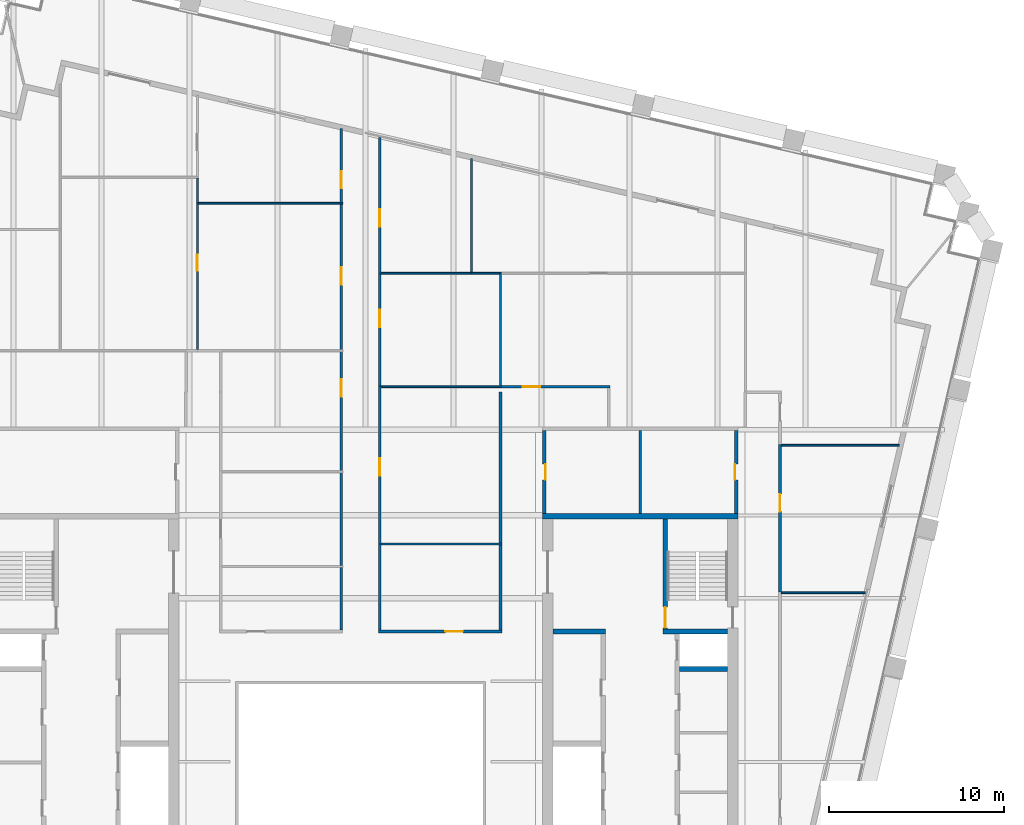
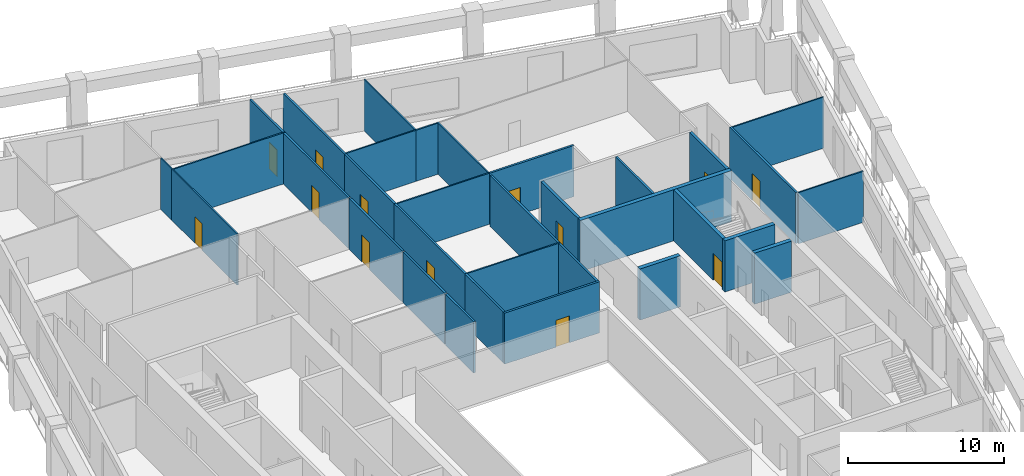
# One storey, part 8 of 10: 33 walls, 13 doors, 13 openings.
"""IFC4 building model written with IfcOpenShell, lengths in metres."""

from ifc_helpers import new_model, si_unit, direction, frame, frame_2d, origin, place, context, subcontext, project, spatial, rectangle, extrude, material, layer, layer_set, type_object, element, fill, save


model = new_model("IFC4")

# Units and contexts
model_context = context("Model", 3, precision=1e-05, world=origin(), true_north=direction((0.0, 1.0)))
body_context = subcontext(model_context, "Body", "Model", "MODEL_VIEW")
ifc_project = project(units=[si_unit("LENGTHUNIT", "METRE"), si_unit("AREAUNIT", "SQUARE_METRE"), si_unit("VOLUMEUNIT", "CUBIC_METRE"), si_unit("PLANEANGLEUNIT", "RADIAN"), si_unit("MASSUNIT", "GRAM", prefix="KILO")], contexts=[model_context])

# Site, building, storey
site_placement = place(None, origin())
site = spatial("IfcSite", under=ifc_project, at=site_placement, CompositionType="ELEMENT")
building_placement = place(site_placement, origin())
building = spatial("IfcBuilding", under=site, at=building_placement, Name="Ogive Exchange Tower", CompositionType="ELEMENT")
storey_placement = place(building_placement, frame((0.0, 0.0, 264.0)))
storey = spatial("IfcBuildingStorey", under=building, at=storey_placement, Name="L57", CompositionType="ELEMENT", Elevation=264.0)

# Walls
ifc_material_1 = material(Name="Gypsum board partition")
ifc_layer_1 = layer(ifc_material_1, 0.14990234375)
ifc_layer_set_1 = layer_set([ifc_layer_1], Name="Core room partition 150 gypsum")
wall_type_1 = type_object("IfcWallType", Name="Core room partition 150 gypsum", PredefinedType="PARTITIONING", material=ifc_layer_set_1)
wall_1_placement = place(storey_placement, frame((16.0, 25.75, 0.0), z_axis=(0.0, 0.0, 1.0), x_axis=(0.0, 1.0, 0.0)))
element("IfcWall", 1, at=wall_1_placement, inside=storey, type_object=wall_type_1, Name="E annex N column wall", PredefinedType="PARTITIONING", context=body_context, shape_type="SweptSolid", body=[
    extrude(rectangle(XDim=4.75, YDim=0.14990234375, at=frame_2d((2.375, 0.0))), origin(), (0.0, 0.0, 1.0), 4.0),
])
ifc_layer_2 = layer(ifc_material_1, 0.300048828125)
ifc_layer_set_2 = layer_set([ifc_layer_2], Name="Core room partition 300 gypsum")
wall_type_2 = type_object("IfcWallType", Name="Core room partition 300 gypsum", PredefinedType="PARTITIONING", material=ifc_layer_set_2)
wall_2_placement = place(storey_placement, frame((11.0, 19.0, 0.0), z_axis=(0.0, 0.0, 1.0), x_axis=(1.0, 0.0, 0.0)))
element("IfcWall", 2, at=wall_2_placement, inside=storey, type_object=wall_type_2, Name="E row B room end wall 7", PredefinedType="PARTITIONING", context=body_context, shape_type="SweptSolid", body=[
    extrude(rectangle(XDim=3.0, YDim=0.300048828125, at=frame_2d((1.5, 0.0))), origin(), (0.0, 0.0, 1.0), 4.0),
])
ifc_material_2 = material(Name="Fire partition EI 60 150")
ifc_layer_3 = layer(ifc_material_2, 0.14990234375)
ifc_layer_set_3 = layer_set([ifc_layer_3], Name="Fire partition EI 60 150")
wall_type_3 = type_object("IfcWallType", Name="Fire partition EI 60 150", PredefinedType="PARTITIONING", material=ifc_layer_set_3)
wall_3_placement = place(storey_placement, frame((-1.10009765625, 19.074951171875, 0.0), z_axis=(0.0, 0.0, 1.0), x_axis=(0.0, 1.0, 0.0)))
element("IfcWall", 3, at=wall_3_placement, inside=storey, type_object=wall_type_3, Name="L57-PWL-040", PredefinedType="PARTITIONING", context=body_context, shape_type="SweptSolid", body=[
    extrude(rectangle(XDim=3.594970703125, YDim=0.14990234375, at=frame_2d((1.79736328125, 0.0))), origin(), (0.0, 0.0, 1.0), 4.0),
])
wall_4_placement = place(storey_placement, frame((-1.10009765625, 22.77001953125, 0.0), z_axis=(0.0, 0.0, 1.0), x_axis=(0.0, 1.0, 0.0)))
element("IfcWall", 4, at=wall_4_placement, inside=storey, type_object=wall_type_3, Name="L57-PWL-041", PredefinedType="PARTITIONING", context=body_context, shape_type="SweptSolid", body=[
    extrude(rectangle(XDim=5.320068359375, YDim=0.14990234375, at=frame_2d((2.66015625, 0.0))), origin(), (0.0, 0.0, 1.0), 4.0),
])

# Wall, opening, door
wall_5_placement = place(storey_placement, frame((-1.10009765625, 28.18994140625, 0.0), z_axis=(0.0, 0.0, 1.0), x_axis=(0.0, 1.0, 0.0)))
wall_5 = element("IfcWall", 5, at=wall_5_placement, inside=storey, type_object=wall_type_3, Name="L57-PWL-042", PredefinedType="PARTITIONING", context=body_context, shape_type="SweptSolid", body=[
    extrude(rectangle(XDim=6.830078125, YDim=0.14990234375, at=frame_2d((3.4150390625, 0.0))), origin(), (0.0, 0.0, 1.0), 4.0),
])
opening_1_placement = place(wall_5_placement, frame((4.22998046875, 0.0, 0.0)))
opening_1 = element("IfcOpeningElement", 6, at=opening_1_placement, cuts=wall_5, Name="Opening L57-I06", PredefinedType="OPENING", context=body_context, shape_type="SweptSolid", body=[
    extrude(rectangle(XDim=1.0, YDim=2.10009765625, at=frame_2d((0.5, 1.050048828125))), frame((0.0, 0.0849609375, 0.0), z_axis=(0.0, -1.0, 0.0), x_axis=(1.0, 0.0, 0.0)), (0.0, 0.0, 1.0), 0.169921875),
])
ifc_material_3 = material(Name="Fire door FD 30S 1000 x 2100")
door_type_1 = type_object("IfcDoorType", Name="Fire door FD 30S 1000 x 2100", OperationType="NOTDEFINED", PredefinedType="DOOR", material=ifc_material_3)
door_1_placement = place(opening_1_placement, origin())
door_1 = element("IfcDoor", 7, at=door_1_placement, inside=storey, type_object=door_type_1, Name="L57-IDR-006", ObjectType="DT3", OperationType="SINGLE_SWING_LEFT", OverallHeight=2.10009765625, OverallWidth=1.0, PredefinedType="DOOR", context=body_context, shape_type="SweptSolid", body=[
    extrude(rectangle(XDim=1.0, YDim=2.10009765625, at=frame_2d((0.5, 1.050048828125))), frame((0.0, 0.02490234375, 0.0), z_axis=(0.0, -1.0, 0.0), x_axis=(1.0, 0.0, 0.0)), (0.0, 0.0, 1.0), 0.050048828125),
])
fill(opening_1, door_1)

wall_6_placement = place(storey_placement, frame((-1.10009765625, 35.1201171875, 0.0), z_axis=(0.0, 0.0, 1.0), x_axis=(0.0, 1.0, 0.0)))
wall_6 = element("IfcWall", 8, at=wall_6_placement, inside=storey, type_object=wall_type_3, Name="L57-PWL-043", PredefinedType="PARTITIONING", context=body_context, shape_type="SweptSolid", body=[
    extrude(rectangle(XDim=8.329833984375, YDim=0.14990234375, at=frame_2d((4.1650390625, 0.0))), origin(), (0.0, 0.0, 1.0), 4.0),
])
opening_2_placement = place(wall_6_placement, frame((3.72998046875, 0.0, 0.0)))
opening_2 = element("IfcOpeningElement", 9, at=opening_2_placement, cuts=wall_6, Name="Opening L57-I07", PredefinedType="OPENING", context=body_context, shape_type="SweptSolid", body=[
    extrude(rectangle(XDim=1.0, YDim=2.10009765625, at=frame_2d((0.5, 1.050048828125))), frame((0.0, 0.0849609375, 0.0), z_axis=(0.0, -1.0, 0.0), x_axis=(1.0, 0.0, 0.0)), (0.0, 0.0, 1.0), 0.169921875),
])
door_2_placement = place(opening_2_placement, origin())
door_2 = element("IfcDoor", 10, at=door_2_placement, inside=storey, type_object=door_type_1, Name="L57-IDR-007", ObjectType="DT3", OperationType="SINGLE_SWING_LEFT", OverallHeight=2.10009765625, OverallWidth=1.0, PredefinedType="DOOR", context=body_context, shape_type="SweptSolid", body=[
    extrude(rectangle(XDim=1.0, YDim=2.10009765625, at=frame_2d((0.5, 1.050048828125))), frame((0.0, 0.02490234375, 0.0), z_axis=(0.0, -1.0, 0.0), x_axis=(1.0, 0.0, 0.0)), (0.0, 0.0, 1.0), 0.050048828125),
])
fill(opening_2, door_2)

wall_7_placement = place(storey_placement, frame((-1.10009765625, 43.550048828125, 0.0), z_axis=(0.0, 0.0, 1.0), x_axis=(0.0, 1.0, 0.0)))
wall_7 = element("IfcWall", 11, at=wall_7_placement, inside=storey, type_object=wall_type_3, Name="L57-PWL-044", PredefinedType="PARTITIONING", context=body_context, shape_type="SweptSolid", body=[
    extrude(rectangle(XDim=4.22802734375, YDim=0.14990234375, at=frame_2d((2.114013671875, 0.0))), origin(), (0.0, 0.0, 1.0), 4.0),
])
opening_3_placement = place(wall_7_placement, frame((0.800048828125, 0.0, 0.0)))
opening_3 = element("IfcOpeningElement", 12, at=opening_3_placement, cuts=wall_7, Name="Opening L57-I08", PredefinedType="OPENING", context=body_context, shape_type="SweptSolid", body=[
    extrude(rectangle(XDim=1.0, YDim=2.10009765625, at=frame_2d((0.5, 1.050048828125))), frame((0.0, 0.0849609375, 0.0), z_axis=(0.0, -1.0, 0.0), x_axis=(1.0, 0.0, 0.0)), (0.0, 0.0, 1.0), 0.169921875),
])
door_3_placement = place(opening_3_placement, origin())
door_3 = element("IfcDoor", 13, at=door_3_placement, inside=storey, type_object=door_type_1, Name="L57-IDR-008", ObjectType="DT3", OperationType="SINGLE_SWING_RIGHT", OverallHeight=2.10009765625, OverallWidth=1.0, PredefinedType="DOOR", context=body_context, shape_type="SweptSolid", body=[
    extrude(rectangle(XDim=1.0, YDim=2.10009765625, at=frame_2d((0.5, 1.050048828125))), frame((0.0, 0.02490234375, 0.0), z_axis=(0.0, -1.0, 0.0), x_axis=(1.0, 0.0, 0.0)), (0.0, 0.0, 1.0), 0.050048828125),
])
fill(opening_3, door_3)

wall_8_placement = place(storey_placement, frame((1.02490234375, 19.0, 0.0), z_axis=(0.0, 0.0, 1.0), x_axis=(1.0, 0.0, 0.0)))
wall_8 = element("IfcWall", 14, at=wall_8_placement, inside=storey, type_object=wall_type_3, Name="L57-PWL-046", PredefinedType="PARTITIONING", context=body_context, shape_type="SweptSolid", body=[
    extrude(rectangle(XDim=7.050048828125, YDim=0.14990234375, at=frame_2d((3.52490234375, 0.0))), origin(), (0.0, 0.0, 1.0), 4.0),
])
opening_4_placement = place(wall_8_placement, frame((3.824951171875, 0.0, 0.0)))
opening_4 = element("IfcOpeningElement", 15, at=opening_4_placement, cuts=wall_8, Name="Opening L57-I20", PredefinedType="OPENING", context=body_context, shape_type="SweptSolid", body=[
    extrude(rectangle(XDim=1.0, YDim=2.10009765625, at=frame_2d((0.5, 1.050048828125))), frame((0.0, 0.0849609375, 0.0), z_axis=(0.0, -1.0, 0.0), x_axis=(1.0, 0.0, 0.0)), (0.0, 0.0, 1.0), 0.169921875),
])
door_4_placement = place(opening_4_placement, origin())
door_4 = element("IfcDoor", 16, at=door_4_placement, inside=storey, type_object=door_type_1, Name="L57-IDR-020", ObjectType="DT3", OperationType="SINGLE_SWING_LEFT", OverallHeight=2.10009765625, OverallWidth=1.0, PredefinedType="DOOR", context=body_context, shape_type="SweptSolid", body=[
    extrude(rectangle(XDim=1.0, YDim=2.10009765625, at=frame_2d((0.5, 1.050048828125))), frame((0.0, 0.02490234375, 0.0), z_axis=(0.0, -1.0, 0.0), x_axis=(1.0, 0.0, 0.0)), (0.0, 0.0, 1.0), 0.050048828125),
])
fill(opening_4, door_4)

# Wall
wall_9_placement = place(storey_placement, frame((1.10009765625, 24.0, 0.0), z_axis=(0.0, 0.0, 1.0), x_axis=(0.0, -1.0, 0.0)))
element("IfcWall", 17, at=wall_9_placement, inside=storey, type_object=wall_type_3, Name="L57-PWL-047", PredefinedType="PARTITIONING", context=body_context, shape_type="SweptSolid", body=[
    extrude(rectangle(XDim=4.925048828125, YDim=0.14990234375, at=frame_2d((2.46240234375, 0.0))), origin(), (0.0, 0.0, 1.0), 4.0),
])

# Wall, opening, door
wall_10_placement = place(storey_placement, frame((1.10009765625, 33.050048828125, 0.0), z_axis=(0.0, 0.0, 1.0), x_axis=(0.0, -1.0, 0.0)))
wall_10 = element("IfcWall", 18, at=wall_10_placement, inside=storey, type_object=wall_type_3, Name="L57-PWL-049", PredefinedType="PARTITIONING", context=body_context, shape_type="SweptSolid", body=[
    extrude(rectangle(XDim=9.050048828125, YDim=0.14990234375, at=frame_2d((4.52490234375, 0.0))), origin(), (0.0, 0.0, 1.0), 4.0),
])
opening_5_placement = place(wall_10_placement, frame((4.14990234375, 0.0, 0.0)))
opening_5 = element("IfcOpeningElement", 19, at=opening_5_placement, cuts=wall_10, Name="Opening L57-I21", PredefinedType="OPENING", context=body_context, shape_type="SweptSolid", body=[
    extrude(rectangle(XDim=1.0, YDim=2.10009765625, at=frame_2d((0.5, 1.050048828125))), frame((0.0, 0.0849609375, 0.0), z_axis=(0.0, -1.0, 0.0), x_axis=(1.0, 0.0, 0.0)), (0.0, 0.0, 1.0), 0.169921875),
])
door_5_placement = place(opening_5_placement, origin())
door_5 = element("IfcDoor", 20, at=door_5_placement, inside=storey, type_object=door_type_1, Name="L57-IDR-021", ObjectType="DT3", OperationType="SINGLE_SWING_RIGHT", OverallHeight=2.10009765625, OverallWidth=1.0, PredefinedType="DOOR", context=body_context, shape_type="SweptSolid", body=[
    extrude(rectangle(XDim=1.0, YDim=2.10009765625, at=frame_2d((0.5, 1.050048828125))), frame((0.0, 0.02490234375, 0.0), z_axis=(0.0, -1.0, 0.0), x_axis=(1.0, 0.0, 0.0)), (0.0, 0.0, 1.0), 0.050048828125),
])
fill(opening_5, door_5)

wall_11_placement = place(storey_placement, frame((1.10009765625, 39.449951171875, 0.0), z_axis=(0.0, 0.0, 1.0), x_axis=(0.0, -1.0, 0.0)))
wall_11 = element("IfcWall", 21, at=wall_11_placement, inside=storey, type_object=wall_type_3, Name="L57-PWL-050", PredefinedType="PARTITIONING", context=body_context, shape_type="SweptSolid", body=[
    extrude(rectangle(XDim=6.39990234375, YDim=0.14990234375, at=frame_2d((3.199951171875, 0.0))), origin(), (0.0, 0.0, 1.0), 4.0),
])
opening_6_placement = place(wall_11_placement, frame((2.050048828125, 0.0, 0.0)))
opening_6 = element("IfcOpeningElement", 22, at=opening_6_placement, cuts=wall_11, Name="Opening L57-I19", PredefinedType="OPENING", context=body_context, shape_type="SweptSolid", body=[
    extrude(rectangle(XDim=1.0, YDim=2.10009765625, at=frame_2d((0.5, 1.050048828125))), frame((0.0, 0.0849609375, 0.0), z_axis=(0.0, -1.0, 0.0), x_axis=(1.0, 0.0, 0.0)), (0.0, 0.0, 1.0), 0.169921875),
])
door_6_placement = place(opening_6_placement, origin())
door_6 = element("IfcDoor", 23, at=door_6_placement, inside=storey, type_object=door_type_1, Name="L57-IDR-019", ObjectType="DT3", OperationType="SINGLE_SWING_RIGHT", OverallHeight=2.10009765625, OverallWidth=1.0, PredefinedType="DOOR", context=body_context, shape_type="SweptSolid", body=[
    extrude(rectangle(XDim=1.0, YDim=2.10009765625, at=frame_2d((0.5, 1.050048828125))), frame((0.0, 0.02490234375, 0.0), z_axis=(0.0, -1.0, 0.0), x_axis=(1.0, 0.0, 0.0)), (0.0, 0.0, 1.0), 0.050048828125),
])
fill(opening_6, door_6)

wall_12_placement = place(storey_placement, frame((1.10009765625, 47.27001953125, 0.0), z_axis=(0.0, 0.0, 1.0), x_axis=(0.0, -1.0, 0.0)))
wall_12 = element("IfcWall", 24, at=wall_12_placement, inside=storey, type_object=wall_type_3, Name="L57-PWL-051", PredefinedType="PARTITIONING", context=body_context, shape_type="SweptSolid", body=[
    extrude(rectangle(XDim=7.820068359375, YDim=0.14990234375, at=frame_2d((3.91015625, 0.0))), origin(), (0.0, 0.0, 1.0), 4.0),
])
opening_7_placement = place(wall_12_placement, frame((4.1201171875, 0.0, 0.0)))
opening_7 = element("IfcOpeningElement", 25, at=opening_7_placement, cuts=wall_12, Name="Opening L57-I17", PredefinedType="OPENING", context=body_context, shape_type="SweptSolid", body=[
    extrude(rectangle(XDim=1.0, YDim=2.10009765625, at=frame_2d((0.5, 1.050048828125))), frame((0.0, 0.0849609375, 0.0), z_axis=(0.0, -1.0, 0.0), x_axis=(1.0, 0.0, 0.0)), (0.0, 0.0, 1.0), 0.169921875),
])
door_7_placement = place(opening_7_placement, origin())
door_7 = element("IfcDoor", 26, at=door_7_placement, inside=storey, type_object=door_type_1, Name="L57-IDR-017", ObjectType="DT3", OperationType="SINGLE_SWING_LEFT", OverallHeight=2.10009765625, OverallWidth=1.0, PredefinedType="DOOR", context=body_context, shape_type="SweptSolid", body=[
    extrude(rectangle(XDim=1.0, YDim=2.10009765625, at=frame_2d((0.5, 1.050048828125))), frame((0.0, 0.02490234375, 0.0), z_axis=(0.0, -1.0, 0.0), x_axis=(1.0, 0.0, 0.0)), (0.0, 0.0, 1.0), 0.050048828125),
])
fill(opening_7, door_7)

# Walls
wall_13_placement = place(storey_placement, frame((8.0, 19.074951171875, 0.0), z_axis=(0.0, 0.0, 1.0), x_axis=(0.0, 1.0, 0.0)))
element("IfcWall", 27, at=wall_13_placement, inside=storey, type_object=wall_type_3, Name="L57-PWL-054", PredefinedType="PARTITIONING", context=body_context, shape_type="SweptSolid", body=[
    extrude(rectangle(XDim=4.875, YDim=0.14990234375, at=frame_2d((2.4375, 0.0))), origin(), (0.0, 0.0, 1.0), 4.0),
])
wall_14_placement = place(storey_placement, frame((8.0, 24.050048828125, 0.0), z_axis=(0.0, 0.0, 1.0), x_axis=(0.0, 1.0, 0.0)))
element("IfcWall", 28, at=wall_14_placement, inside=storey, type_object=wall_type_3, Name="L57-PWL-055", PredefinedType="PARTITIONING", context=body_context, shape_type="SweptSolid", body=[
    extrude(rectangle(XDim=8.64990234375, YDim=0.14990234375, at=frame_2d((4.324951171875, 0.0))), origin(), (0.0, 0.0, 1.0), 4.0),
])

# Wall, opening, door
wall_15_placement = place(storey_placement, frame((8.010009765625, 33.0, 0.0), z_axis=(0.0, 0.0, 1.0), x_axis=(1.0, 0.0, 0.0)))
wall_15 = element("IfcWall", 29, at=wall_15_placement, inside=storey, type_object=wall_type_3, Name="L57-PWL-059", PredefinedType="PARTITIONING", context=body_context, shape_type="SweptSolid", body=[
    extrude(rectangle(XDim=6.2548828125, YDim=0.14990234375, at=frame_2d((3.12744140625, 0.0))), origin(), (0.0, 0.0, 1.0), 4.0),
])
opening_8_placement = place(wall_15_placement, frame((1.280029296875, 0.0, 0.0)))
opening_8 = element("IfcOpeningElement", 30, at=opening_8_placement, cuts=wall_15, Name="Opening L57-I18", PredefinedType="OPENING", context=body_context, shape_type="SweptSolid", body=[
    extrude(rectangle(XDim=1.0, YDim=2.10009765625, at=frame_2d((0.5, 1.050048828125))), frame((0.0, 0.0849609375, 0.0), z_axis=(0.0, -1.0, 0.0), x_axis=(1.0, 0.0, 0.0)), (0.0, 0.0, 1.0), 0.169921875),
])
door_8_placement = place(opening_8_placement, origin())
door_8 = element("IfcDoor", 31, at=door_8_placement, inside=storey, type_object=door_type_1, Name="L57-IDR-018", ObjectType="DT3", OperationType="SINGLE_SWING_RIGHT", OverallHeight=2.10009765625, OverallWidth=1.0, PredefinedType="DOOR", context=body_context, shape_type="SweptSolid", body=[
    extrude(rectangle(XDim=1.0, YDim=2.10009765625, at=frame_2d((0.5, 1.050048828125))), frame((0.0, 0.02490234375, 0.0), z_axis=(0.0, -1.0, 0.0), x_axis=(1.0, 0.0, 0.0)), (0.0, 0.0, 1.0), 0.050048828125),
])
fill(opening_8, door_8)

wall_16_placement = place(storey_placement, frame((24.0, 29.7099609375, 0.0), z_axis=(0.0, 0.0, 1.0), x_axis=(0.0, -1.0, 0.0)))
wall_16 = element("IfcWall", 32, at=wall_16_placement, inside=storey, type_object=wall_type_3, Name="L57-PWL-076", PredefinedType="PARTITIONING", context=body_context, shape_type="SweptSolid", body=[
    extrude(rectangle(XDim=8.449951171875, YDim=0.14990234375, at=frame_2d((4.22509765625, 0.0))), origin(), (0.0, 0.0, 1.0), 4.0),
])
opening_9_placement = place(wall_16_placement, frame((2.85009765625, 0.0, 0.0)))
opening_9 = element("IfcOpeningElement", 33, at=opening_9_placement, cuts=wall_16, Name="Opening L57-I23", PredefinedType="OPENING", context=body_context, shape_type="SweptSolid", body=[
    extrude(rectangle(XDim=1.0, YDim=2.10009765625, at=frame_2d((0.5, 1.050048828125))), frame((0.0, 0.0849609375, 0.0), z_axis=(0.0, -1.0, 0.0), x_axis=(1.0, 0.0, 0.0)), (0.0, 0.0, 1.0), 0.169921875),
])
door_9_placement = place(opening_9_placement, origin())
door_9 = element("IfcDoor", 34, at=door_9_placement, inside=storey, type_object=door_type_1, Name="L57-IDR-023", ObjectType="DT3", OperationType="SINGLE_SWING_RIGHT", OverallHeight=2.10009765625, OverallWidth=1.0, PredefinedType="DOOR", context=body_context, shape_type="SweptSolid", body=[
    extrude(rectangle(XDim=1.0, YDim=2.10009765625, at=frame_2d((0.5, 1.050048828125))), frame((0.0, 0.02490234375, 0.0), z_axis=(0.0, -1.0, 0.0), x_axis=(1.0, 0.0, 0.0)), (0.0, 0.0, 1.0), 0.050048828125),
])
fill(opening_9, door_9)

ifc_material_4 = material(Name="Partition 100 gypsum")
ifc_layer_4 = layer(ifc_material_4, 0.10009765625)
ifc_layer_set_4 = layer_set([ifc_layer_4], Name="Partition 100 gypsum")
wall_type_4 = type_object("IfcWallType", Name="Partition 100 gypsum", PredefinedType="PARTITIONING", material=ifc_layer_set_4)
wall_17_placement = place(storey_placement, frame((-9.340087890625, 35.14501953125, 0.0), z_axis=(0.0, 0.0, 1.0), x_axis=(0.0, 1.0, 0.0)))
wall_17 = element("IfcWall", 35, at=wall_17_placement, inside=storey, type_object=wall_type_4, Name="L57-PWL-027", PredefinedType="PARTITIONING", context=body_context, shape_type="SweptSolid", body=[
    extrude(rectangle(XDim=8.405029296875, YDim=0.10009765625, at=frame_2d((4.20263671875, 0.0))), origin(), (0.0, 0.0, 1.0), 4.0),
])
opening_10_placement = place(wall_17_placement, frame((4.5048828125, 0.0, 0.0)))
opening_10 = element("IfcOpeningElement", 36, at=opening_10_placement, cuts=wall_17, Name="Opening L57-I09", PredefinedType="OPENING", context=body_context, shape_type="SweptSolid", body=[
    extrude(rectangle(XDim=0.89990234375, YDim=2.10009765625, at=frame_2d((0.449951171875, 1.050048828125))), frame((0.0, 0.06005859375, 0.0), z_axis=(0.0, -1.0, 0.0), x_axis=(1.0, 0.0, 0.0)), (0.0, 0.0, 1.0), 0.1201171875),
])
ifc_material_5 = material(Name="Door 900 x 2100")
door_type_2 = type_object("IfcDoorType", Name="Door 900 x 2100", OperationType="NOTDEFINED", PredefinedType="DOOR", material=ifc_material_5)
door_10_placement = place(opening_10_placement, frame((0.89990234375, 0.0, 0.0), z_axis=(0.0, 0.0, 1.0), x_axis=(-1.0, 0.0, 0.0)))
door_10 = element("IfcDoor", 37, at=door_10_placement, inside=storey, type_object=door_type_2, Name="L57-IDR-009", ObjectType="DT1", OperationType="SINGLE_SWING_RIGHT", OverallHeight=2.10009765625, OverallWidth=0.89990234375, PredefinedType="DOOR", context=body_context, shape_type="SweptSolid", body=[
    extrude(rectangle(XDim=0.89990234375, YDim=2.10009765625, at=frame_2d((0.449951171875, 1.050048828125))), frame((0.0, 0.02490234375, 0.0), z_axis=(0.0, -1.0, 0.0), x_axis=(1.0, 0.0, 0.0)), (0.0, 0.0, 1.0), 0.050048828125),
])
fill(opening_10, door_10)

# Walls
wall_18_placement = place(storey_placement, frame((-9.340087890625, 43.550048828125, 0.0), z_axis=(0.0, 0.0, 1.0), x_axis=(0.0, 1.0, 0.0)))
element("IfcWall", 38, at=wall_18_placement, inside=storey, type_object=wall_type_4, Name="L57-PWL-029", PredefinedType="PARTITIONING", context=body_context, shape_type="SweptSolid", body=[
    extrude(rectangle(XDim=1.39990234375, YDim=0.10009765625, at=frame_2d((0.699951171875, 0.0))), origin(), (0.0, 0.0, 1.0), 4.0),
])
wall_19_placement = place(storey_placement, frame((-9.2900390625, 43.5, 0.0), z_axis=(0.0, 0.0, 1.0), x_axis=(1.0, 0.0, 0.0)))
element("IfcWall", 39, at=wall_19_placement, inside=storey, type_object=wall_type_4, Name="L57-PWL-030", PredefinedType="PARTITIONING", context=body_context, shape_type="SweptSolid", body=[
    extrude(rectangle(XDim=8.26513671875, YDim=0.10009765625, at=frame_2d((4.132568359375, 0.0))), origin(), (0.0, 0.0, 1.0), 4.0),
])
wall_20_placement = place(storey_placement, frame((1.175048828125, 24.0, 0.0), z_axis=(0.0, 0.0, 1.0), x_axis=(1.0, 0.0, 0.0)))
element("IfcWall", 40, at=wall_20_placement, inside=storey, type_object=wall_type_4, Name="L57-PWL-048", PredefinedType="PARTITIONING", context=body_context, shape_type="SweptSolid", body=[
    extrude(rectangle(XDim=6.89990234375, YDim=0.10009765625, at=frame_2d((3.449951171875, 0.0))), origin(), (0.0, 0.0, 1.0), 4.0),
])
wall_21_placement = place(storey_placement, frame((6.389892578125, 39.5, 0.0), z_axis=(0.0, 0.0, 1.0), x_axis=(-1.0, 0.0, 0.0)))
element("IfcWall", 41, at=wall_21_placement, inside=storey, type_object=wall_type_4, Name="L57-PWL-052", PredefinedType="PARTITIONING", context=body_context, shape_type="SweptSolid", body=[
    extrude(rectangle(XDim=5.21484375, YDim=0.10009765625, at=frame_2d((2.607421875, 0.0))), origin(), (0.0, 0.0, 1.0), 4.0),
])
wall_22_placement = place(storey_placement, frame((6.340087890625, 39.550048828125, 0.0), z_axis=(0.0, 0.0, 1.0), x_axis=(0.0, 1.0, 0.0)))
element("IfcWall", 42, at=wall_22_placement, inside=storey, type_object=wall_type_4, Name="L57-PWL-053", PredefinedType="PARTITIONING", context=body_context, shape_type="SweptSolid", body=[
    extrude(rectangle(XDim=6.510986328125, YDim=0.10009765625, at=frame_2d((3.25537109375, 0.0))), origin(), (0.0, 0.0, 1.0), 4.0),
])
wall_23_placement = place(storey_placement, frame((8.050048828125, 33.0, 0.0), z_axis=(0.0, 0.0, 1.0), x_axis=(-1.0, 0.0, 0.0)))
element("IfcWall", 43, at=wall_23_placement, inside=storey, type_object=wall_type_4, Name="L57-PWL-056", PredefinedType="PARTITIONING", context=body_context, shape_type="SweptSolid", body=[
    extrude(rectangle(XDim=6.875, YDim=0.10009765625, at=frame_2d((3.4375, 0.0))), origin(), (0.0, 0.0, 1.0), 4.0),
])
wall_24_placement = place(storey_placement, frame((8.0, 33.050048828125, 0.0), z_axis=(0.0, 0.0, 1.0), x_axis=(0.0, 1.0, 0.0)))
element("IfcWall", 44, at=wall_24_placement, inside=storey, type_object=wall_type_4, Name="L57-PWL-057", PredefinedType="PARTITIONING", context=body_context, shape_type="SweptSolid", body=[
    extrude(rectangle(XDim=6.5, YDim=0.10009765625, at=frame_2d((3.25, 0.0))), origin(), (0.0, 0.0, 1.0), 4.0),
])
wall_25_placement = place(storey_placement, frame((7.949951171875, 39.5, 0.0), z_axis=(0.0, 0.0, 1.0), x_axis=(-1.0, 0.0, 0.0)))
element("IfcWall", 45, at=wall_25_placement, inside=storey, type_object=wall_type_4, Name="L57-PWL-058", PredefinedType="PARTITIONING", context=body_context, shape_type="SweptSolid", body=[
    extrude(rectangle(XDim=1.60986328125, YDim=0.10009765625, at=frame_2d((0.804931640625, 0.0))), origin(), (0.0, 0.0, 1.0), 4.0),
])
wall_26_placement = place(storey_placement, frame((24.074951171875, 21.2099609375, 0.0), z_axis=(0.0, 0.0, 1.0), x_axis=(1.0, 0.0, 0.0)))
element("IfcWall", 46, at=wall_26_placement, inside=storey, type_object=wall_type_4, Name="L57-PWL-075", PredefinedType="PARTITIONING", context=body_context, shape_type="SweptSolid", body=[
    extrude(rectangle(XDim=4.804931640625, YDim=0.10009765625, at=frame_2d((2.40234375, 0.0))), origin(), (0.0, 0.0, 1.0), 4.0),
])
wall_27_placement = place(storey_placement, frame((24.074951171875, 29.659912109375, 0.0), z_axis=(0.0, 0.0, 1.0), x_axis=(1.0, 0.0, 0.0)))
element("IfcWall", 47, at=wall_27_placement, inside=storey, type_object=wall_type_4, Name="L57-PWL-077", PredefinedType="PARTITIONING", context=body_context, shape_type="SweptSolid", body=[
    extrude(rectangle(XDim=6.756103515625, YDim=0.10009765625, at=frame_2d((3.3779296875, 0.0))), origin(), (0.0, 0.0, 1.0), 4.0),
])

# Wall, opening, door
ifc_material_6 = material(Name="Concrete C70/85", Category="concrete")
ifc_layer_5 = layer(ifc_material_6, 0.199951171875)
ifc_layer_set_5 = layer_set([ifc_layer_5], Name="RC core wall 200 C70/85")
wall_type_5 = type_object("IfcWallType", Name="RC core wall 200 C70/85", PredefinedType="SHEAR", material=ifc_layer_set_5)
wall_28_placement = place(storey_placement, frame((21.5, 25.75, 0.0), z_axis=(0.0, 0.0, 1.0), x_axis=(0.0, 1.0, 0.0)))
wall_28 = element("IfcWall", 48, at=wall_28_placement, inside=storey, type_object=wall_type_5, Name="E annex N outer wall", PredefinedType="SHEAR", context=body_context, shape_type="SweptSolid", body=[
    extrude(rectangle(XDim=4.75, YDim=0.199951171875, at=frame_2d((2.375, 0.0))), origin(), (0.0, 0.0, 1.0), 4.0),
])
opening_11_placement = place(wall_28_placement, frame((1.925048828125, 0.0, 0.0)))
opening_11 = element("IfcOpeningElement", 49, at=opening_11_placement, cuts=wall_28, Name="Opening L57-C37", PredefinedType="OPENING", context=body_context, shape_type="SweptSolid", body=[
    extrude(rectangle(XDim=0.89990234375, YDim=2.10009765625, at=frame_2d((0.449951171875, 1.050048828125))), frame((0.0, 0.10986328125, 0.0), z_axis=(0.0, -1.0, 0.0), x_axis=(1.0, 0.0, 0.0)), (0.0, 0.0, 1.0), 0.219970703125),
])
ifc_material_7 = material(Name="Steel fire door", Category="steel")
door_type_3 = type_object("IfcDoorType", Name="Riser door FD60 900 x 2100", OperationType="NOTDEFINED", PredefinedType="DOOR", material=ifc_material_7)
door_11_placement = place(opening_11_placement, frame((0.89990234375, 0.14990234375, 0.0), z_axis=(0.0, 0.0, 1.0), x_axis=(-1.0, 0.0, 0.0)))
door_11 = element("IfcDoor", 50, at=door_11_placement, inside=storey, type_object=door_type_3, Name="Riser door", ObjectType="CD2", OperationType="SINGLE_SWING_LEFT", OverallHeight=2.10009765625, OverallWidth=0.89990234375, PredefinedType="DOOR", context=body_context, shape_type="SweptSolid", body=[
    extrude(rectangle(XDim=0.89990234375, YDim=2.10009765625, at=frame_2d((0.449951171875, 1.050048828125))), frame((0.0, 0.10009765625, 0.0), z_axis=(0.0, -1.0, 0.0), x_axis=(1.0, 0.0, 0.0)), (0.0, 0.0, 1.0), 0.050048828125),
])
fill(opening_11, door_11)

wall_29_placement = place(storey_placement, frame((10.5, 25.75, 0.0), z_axis=(0.0, 0.0, 1.0), x_axis=(0.0, 1.0, 0.0)))
wall_29 = element("IfcWall", 51, at=wall_29_placement, inside=storey, type_object=wall_type_5, Name="E annex N inner wall", PredefinedType="SHEAR", context=body_context, shape_type="SweptSolid", body=[
    extrude(rectangle(XDim=4.75, YDim=0.199951171875, at=frame_2d((2.375, 0.0))), origin(), (0.0, 0.0, 1.0), 4.0),
])
opening_12_placement = place(wall_29_placement, frame((1.925048828125, 0.0, 0.0)))
opening_12 = element("IfcOpeningElement", 52, at=opening_12_placement, cuts=wall_29, Name="Opening L57-C38", PredefinedType="OPENING", context=body_context, shape_type="SweptSolid", body=[
    extrude(rectangle(XDim=0.89990234375, YDim=2.10009765625, at=frame_2d((0.449951171875, 1.050048828125))), frame((0.0, 0.10986328125, 0.0), z_axis=(0.0, -1.0, 0.0), x_axis=(1.0, 0.0, 0.0)), (0.0, 0.0, 1.0), 0.219970703125),
])
door_12_placement = place(opening_12_placement, origin())
door_12 = element("IfcDoor", 53, at=door_12_placement, inside=storey, type_object=door_type_3, Name="Riser door", ObjectType="CD2", OperationType="SINGLE_SWING_LEFT", OverallHeight=2.10009765625, OverallWidth=0.89990234375, PredefinedType="DOOR", context=body_context, shape_type="SweptSolid", body=[
    extrude(rectangle(XDim=0.89990234375, YDim=2.10009765625, at=frame_2d((0.449951171875, 1.050048828125))), frame((0.0, -0.0498046875, 0.0), z_axis=(0.0, -1.0, 0.0), x_axis=(1.0, 0.0, 0.0)), (0.0, 0.0, 1.0), 0.050048828125),
])
fill(opening_12, door_12)

ifc_layer_6 = layer(ifc_material_6, 0.25)
ifc_layer_set_6 = layer_set([ifc_layer_6], Name="RC core wall 250 C70/85")
wall_type_6 = type_object("IfcWallType", Name="RC core wall 250 C70/85", PredefinedType="SHEAR", material=ifc_layer_set_6)
wall_30_placement = place(storey_placement, frame((17.425048828125, 19.14990234375, 0.0), z_axis=(0.0, 0.0, 1.0), x_axis=(0.0, 1.0, 0.0)))
wall_30 = element("IfcWall", 54, at=wall_30_placement, inside=storey, type_object=wall_type_6, Name="E stair N front wall", PredefinedType="SHEAR", context=body_context, shape_type="SweptSolid", body=[
    extrude(rectangle(XDim=6.300048828125, YDim=0.25, at=frame_2d((3.14990234375, 0.0))), origin(), (0.0, 0.0, 1.0), 4.0),
])
opening_13_placement = place(wall_30_placement, frame((0.050048828125, 0.0, 0.0)))
opening_13 = element("IfcOpeningElement", 55, at=opening_13_placement, cuts=wall_30, Name="Opening L57-C33", PredefinedType="OPENING", context=body_context, shape_type="SweptSolid", body=[
    extrude(rectangle(XDim=1.199951171875, YDim=2.10009765625, at=frame_2d((0.60009765625, 1.050048828125))), frame((0.0, 0.135009765625, 0.0), z_axis=(0.0, -1.0, 0.0), x_axis=(1.0, 0.0, 0.0)), (0.0, 0.0, 1.0), 0.27001953125),
])
door_type_4 = type_object("IfcDoorType", Name="Stair door FD90 1200 x 2100", OperationType="NOTDEFINED", PredefinedType="DOOR", material=ifc_material_7)
door_13_placement = place(opening_13_placement, frame((1.199951171875, 0.0, 0.0), z_axis=(0.0, 0.0, 1.0), x_axis=(-1.0, 0.0, 0.0)))
door_13 = element("IfcDoor", 56, at=door_13_placement, inside=storey, type_object=door_type_4, Name="Stair door", ObjectType="CD5", OperationType="SINGLE_SWING_LEFT", OverallHeight=2.10009765625, OverallWidth=1.199951171875, PredefinedType="DOOR", context=body_context, shape_type="SweptSolid", body=[
    extrude(rectangle(XDim=1.199951171875, YDim=2.10009765625, at=frame_2d((0.60009765625, 1.050048828125))), frame((0.0, 0.02490234375, 0.0), z_axis=(0.0, -1.0, 0.0), x_axis=(1.0, 0.0, 0.0)), (0.0, 0.0, 1.0), 0.050048828125),
])
fill(opening_13, door_13)

# Walls
ifc_layer_7 = layer(ifc_material_6, 0.300048828125)
ifc_layer_set_7 = layer_set([ifc_layer_7], Name="RC core wall 300 C70/85")
wall_type_7 = type_object("IfcWallType", Name="RC core wall 300 C70/85", PredefinedType="SHEAR", material=ifc_layer_set_7)
wall_31_placement = place(storey_placement, frame((10.39990234375, 25.60009765625, 0.0), z_axis=(0.0, 0.0, 1.0), x_axis=(1.0, 0.0, 0.0)))
element("IfcWall", 57, at=wall_31_placement, inside=storey, type_object=wall_type_7, Name="E north end wall", PredefinedType="SHEAR", context=body_context, shape_type="SweptSolid", body=[
    extrude(rectangle(XDim=11.2001953125, YDim=0.300048828125, at=frame_2d((5.60009765625, 0.0))), origin(), (0.0, 0.0, 1.0), 4.0),
])
wall_32_placement = place(storey_placement, frame((17.300048828125, 19.0, 0.0), z_axis=(0.0, 0.0, 1.0), x_axis=(1.0, 0.0, 0.0)))
element("IfcWall", 58, at=wall_32_placement, inside=storey, type_object=wall_type_7, Name="E stair N south wall", PredefinedType="SHEAR", context=body_context, shape_type="SweptSolid", body=[
    extrude(rectangle(XDim=3.699951171875, YDim=0.300048828125, at=frame_2d((1.85009765625, 0.0))), origin(), (0.0, 0.0, 1.0), 4.0),
])
wall_33_placement = place(storey_placement, frame((18.25, 16.857177734375, 0.0), z_axis=(0.0, 0.0, 1.0), x_axis=(1.0, 0.0, 0.0)))
element("IfcWall", 59, at=wall_33_placement, inside=storey, type_object=wall_type_7, Name="E row A divider 6", PredefinedType="SHEAR", context=body_context, shape_type="SweptSolid", body=[
    extrude(rectangle(XDim=2.75, YDim=0.300048828125, at=frame_2d((1.375, 0.0))), origin(), (0.0, 0.0, 1.0), 4.0),
])

save(model, "model.ifc")
